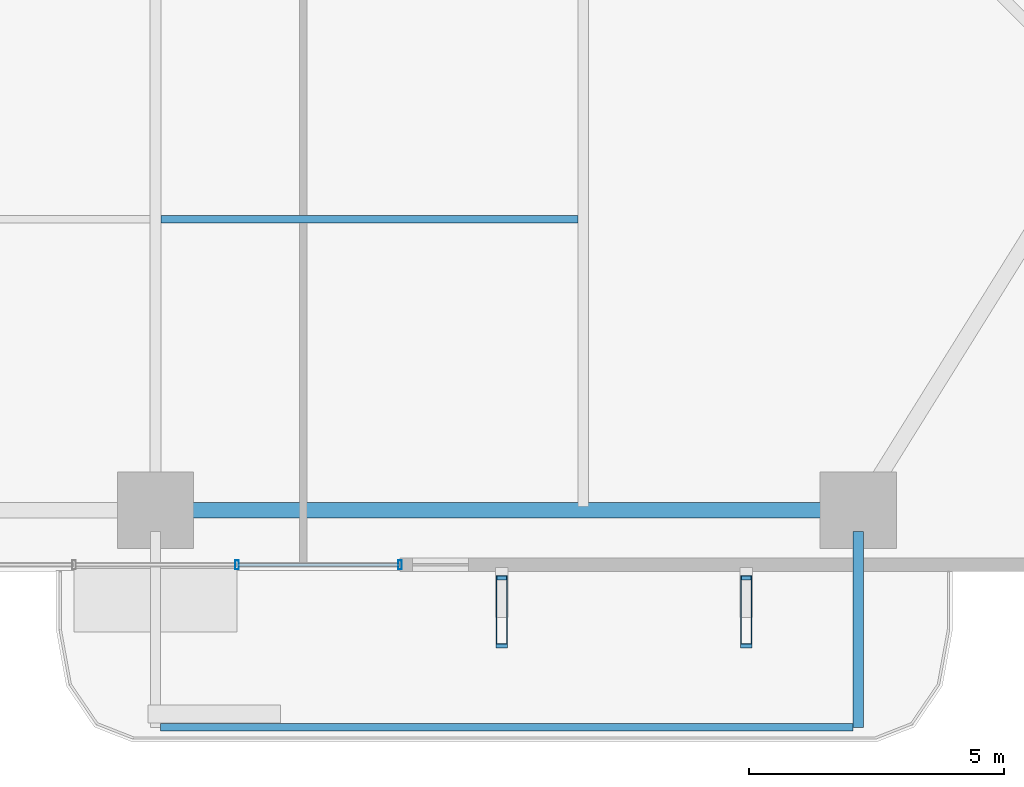
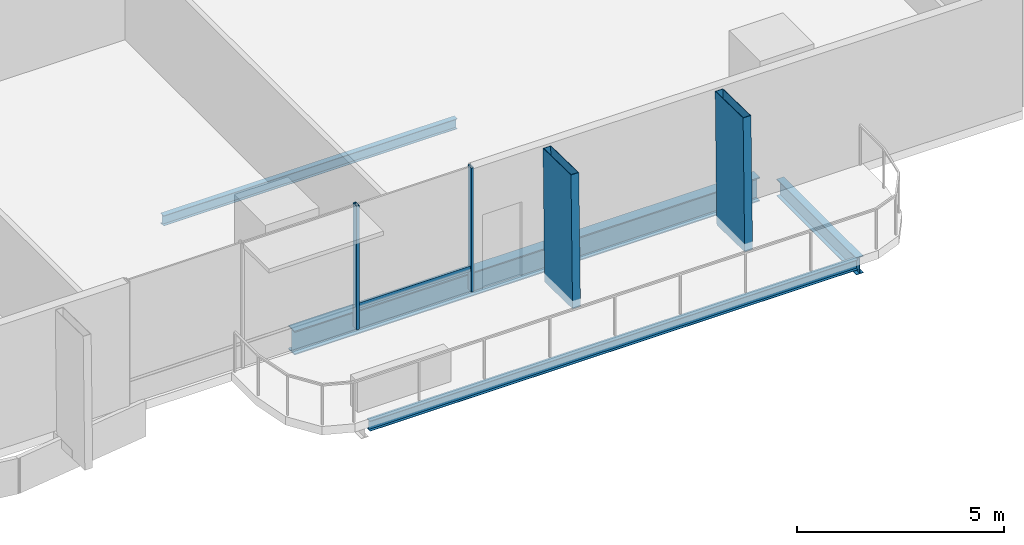
# One storey, part 6 of 24: 5 members, 4 beams, 1 element without a shape of its own.
"""IFC4 building model written with IfcOpenShell, lengths in metres."""

from ifc_helpers import new_model, si_unit, direction, frame, origin, origin_2d, place, context, subcontext, project, spatial, hollow_rectangle, i_section, extrude, material, layer, layer_set, material_profile, profile_set, type_object, element, aggregate, save


model = new_model("IFC4")

# Units and contexts
model_context = context("Model", 3, precision=1e-05, world=origin(), true_north=direction((0.0, 1.0)))
body_context = subcontext(model_context, "Body", "Model", "MODEL_VIEW")
ifc_project = project(units=[si_unit("LENGTHUNIT", "METRE"), si_unit("AREAUNIT", "SQUARE_METRE"), si_unit("VOLUMEUNIT", "CUBIC_METRE"), si_unit("PLANEANGLEUNIT", "RADIAN"), si_unit("MASSUNIT", "GRAM", prefix="KILO")], contexts=[model_context])

# Site, building, storey
site_placement = place(None, origin())
site = spatial("IfcSite", under=ifc_project, at=site_placement, CompositionType="ELEMENT")
building_placement = place(site_placement, origin())
building = spatial("IfcBuilding", under=site, at=building_placement, Name="Belovzor Exchange Tower", CompositionType="ELEMENT")
storey_placement = place(building_placement, frame((0.0, 0.0, 80.699951171875)))
storey = spatial("IfcBuildingStorey", under=building, at=storey_placement, Name="L19", CompositionType="ELEMENT", Elevation=80.699951171875)

# Members
ifc_material_1 = material(Name="Extruded Architectural Terracotta on Steel S355 Carrier", Category="masonry")
ifc_material_profile_1 = material_profile(ifc_material_1, hollow_rectangle(XDim=0.219970703125, YDim=1.35009765625, WallThickness=0.013916015625, at=origin_2d()))
ifc_profile_set_1 = profile_set([ifc_material_profile_1], Name="Extruded Architectural Terracotta on Steel S355 Carrier")
member_type_1 = type_object("IfcMemberType", Name="Base Arc Sweeping Terracotta Pylon Fin 1450", PredefinedType="USERDEFINED", material=ifc_profile_set_1)
for number, where, z_axis, x_axis, name in (
    (1, (35.60009765625, 0.072021484375, -0.25), (0.0, 0.019964721036, 0.999800685094), (-1.0, 0.0, 0.0), "FIN-TC145 Terracotta Facade Fin L19 S3"),
    (2, (40.39990234375, 0.072021484375, -0.25), (0.0, 0.019964721036, 0.999800685094), (-1.0, 0.0, 0.0), "FIN-TC145 Terracotta Facade Fin L19 S4"),
):
    element("IfcMember", number, at=place(storey_placement, frame(where, z_axis=z_axis, x_axis=x_axis)), inside=storey, type_object=member_type_1, Name=name, ObjectType="FIN", PredefinedType="USERDEFINED", context=body_context, shape_type="SweptSolid", body=[
        extrude(hollow_rectangle(XDim=0.219970703125, YDim=1.35009765625, WallThickness=0.013916015625, at=origin_2d()), origin(), (0.0, 0.0, 1.0), 3.90087890625),
    ])

# Beams
ifc_material_2 = material(Name="Steel S355", Category="steel")
ifc_material_profile_2 = material_profile(ifc_material_2, i_section(OverallWidth=0.199951171875, OverallDepth=0.5, WebThickness=0.01025390625, FlangeThickness=0.01611328125, at=origin_2d()))
ifc_profile_set_2 = profile_set([ifc_material_profile_2], Name="Steel S355")
beam_type_1 = type_object("IfcBeamType", Name="Planted Balcony Cantilever Beam IPE 500", PredefinedType="BEAM", material=ifc_profile_set_2)
beam_1_placement = place(storey_placement, frame((42.60009765625, 1.68798828125, -0.5), z_axis=(0.0, -1.0, 0.0), x_axis=(1.0, 0.0, 0.0)))
element("IfcBeam", 3, at=beam_1_placement, inside=storey, type_object=beam_type_1, Name="BC-500 Planted Balcony Cantilever Beam IPE 500", PredefinedType="BEAM", context=body_context, shape_type="SweptSolid", body=[
    extrude(i_section(OverallWidth=0.199951171875, OverallDepth=0.5, WebThickness=0.01025390625, FlangeThickness=0.01611328125, at=origin_2d()), origin(), (0.0, 0.0, 1.0), 3.85009765625),
])
ifc_material_3 = material(Name="Steel S355", Category="steel")
ifc_material_profile_3 = material_profile(ifc_material_3, i_section(OverallWidth=0.14990234375, OverallDepth=0.300048828125, WebThickness=0.007080078125, FlangeThickness=0.0107421875, at=origin_2d()))
ifc_profile_set_3 = profile_set([ifc_material_profile_3], Name="Steel S355")
beam_type_2 = type_object("IfcBeamType", Name="Planted Balcony Fascia Edge Beam IPE 300", PredefinedType="BEAM", material=ifc_profile_set_3)
beam_2_placement = place(storey_placement, frame((28.89990234375, -2.162109375, -0.39990234375), z_axis=(1.0, 0.0, 0.0), x_axis=(0.0, 1.0, 0.0)))
element("IfcBeam", 4, at=beam_2_placement, inside=storey, type_object=beam_type_2, Name="BC-300 Planted Balcony Fascia Edge Beam IPE 300", PredefinedType="BEAM", context=body_context, shape_type="SweptSolid", body=[
    extrude(i_section(OverallWidth=0.14990234375, OverallDepth=0.300048828125, WebThickness=0.007080078125, FlangeThickness=0.0107421875, at=origin_2d()), origin(), (0.0, 0.0, 1.0), 13.60009765625),
])
ifc_material_4 = material(Name="Steel S355", Category="steel")
ifc_material_profile_4 = material_profile(ifc_material_4, i_section(OverallWidth=0.14990234375, OverallDepth=0.300048828125, WebThickness=0.007080078125, FlangeThickness=0.0107421875, at=origin_2d()))
ifc_profile_set_4 = profile_set([ifc_material_profile_4], Name="Steel S355")
beam_type_3 = type_object("IfcBeamType", Name="Secondary Trim Floor Joist IPE 300", PredefinedType="BEAM", material=ifc_profile_set_4)
beam_3_placement = place(storey_placement, frame((28.905029296875, 7.81494140625, -0.39990234375), z_axis=(1.0, 0.0, 0.0), x_axis=(0.0, 1.0, 0.0)))
element("IfcBeam", 5, at=beam_3_placement, inside=storey, type_object=beam_type_3, Name="FJ-300 Secondary Trim Floor Joist IPE 300", PredefinedType="BEAM", context=body_context, shape_type="SweptSolid", body=[
    extrude(i_section(OverallWidth=0.14990234375, OverallDepth=0.300048828125, WebThickness=0.007080078125, FlangeThickness=0.0107421875, at=origin_2d()), origin(), (0.0, 0.0, 1.0), 8.18994140625),
])

# Curtain wall, members
ifc_material_5 = material(Name="Anodised Aluminium Framing", Category="aluminium")
ifc_layer = layer(ifc_material_5, 0.179931640625)
ifc_layer_set = layer_set([ifc_layer], Name="Anodised Aluminium Framing")
curtain_wall_type = type_object("IfcCurtainWallType", Name="Recessed Loggia Low-Iron Triple-Glazed Curtain Wall", PredefinedType="NOTDEFINED", material=ifc_layer_set)
curtain_wall_placement = place(storey_placement, origin())
curtain_wall = element("IfcCurtainWall", 6, at=curtain_wall_placement, inside=storey, type_object=curtain_wall_type, Name="CW3 Recessed Loggia Low-Iron Triple-Glazed Curtain Wall L19", PredefinedType="NOTDEFINED")
ifc_material_6 = material(Name="Steel S355", Category="steel")
ifc_material_profile_5 = material_profile(ifc_material_6, hollow_rectangle(XDim=0.074951171875, YDim=0.179931640625, WallThickness=0.0048828125, at=origin_2d()))
ifc_profile_set_5 = profile_set([ifc_material_profile_5], Name="Steel S355")
member_type_2 = type_object("IfcMemberType", Name="Thermally Broken Curtain Wall Mullion 180x75", PredefinedType="MULLION", material=ifc_profile_set_5)
member_1_placement = place(storey_placement, frame((33.60009765625, 1.030029296875, 0.0), z_axis=(0.0, 0.0, 1.0), x_axis=(-1.0, 0.0, 0.0)))
member_1 = element("IfcMember", 7, at=member_1_placement, type_object=member_type_2, Name="CW-M180 Curtain Wall Mullion 1", PredefinedType="MULLION", context=body_context, shape_type="SweptSolid", body=[
    extrude(hollow_rectangle(XDim=0.074951171875, YDim=0.179931640625, WallThickness=0.0048828125, at=origin_2d()), origin(), (0.0, 0.0, 1.0), 3.650146484375),
])
member_2_placement = place(storey_placement, frame((30.39990234375, 1.030029296875, 0.0), z_axis=(0.0, 0.0, 1.0), x_axis=(-1.0, 0.0, 0.0)))
member_2 = element("IfcMember", 8, at=member_2_placement, type_object=member_type_2, Name="CW-M180 Curtain Wall Mullion 2", PredefinedType="MULLION", context=body_context, shape_type="SweptSolid", body=[
    extrude(hollow_rectangle(XDim=0.074951171875, YDim=0.179931640625, WallThickness=0.0048828125, at=origin_2d()), origin(), (0.0, 0.0, 1.0), 3.650146484375),
])
ifc_material_7 = material(Name="Steel S355", Category="steel")
ifc_material_profile_6 = material_profile(ifc_material_7, hollow_rectangle(XDim=0.06005859375, YDim=0.14990234375, WallThickness=0.00390625, at=origin_2d()))
ifc_profile_set_6 = profile_set([ifc_material_profile_6], Name="Steel S355")
member_type_3 = type_object("IfcMemberType", Name="Thermally Broken Curtain Wall Transom 150x60", PredefinedType="USERDEFINED", material=ifc_profile_set_6)
member_3_placement = place(storey_placement, frame((33.592041015625, 1.030029296875, 0.650146484375), z_axis=(-1.0, 0.0, 0.0), x_axis=(0.0, -1.0, 0.0)))
member_3 = element("IfcMember", 9, at=member_3_placement, type_object=member_type_3, Name="CW-T150 Curtain Wall Transom 1", ObjectType="TRANSOM", PredefinedType="USERDEFINED", context=body_context, shape_type="SweptSolid", body=[
    extrude(hollow_rectangle(XDim=0.06005859375, YDim=0.14990234375, WallThickness=0.00390625, at=origin_2d()), origin(), (0.0, 0.0, 1.0), 3.18408203125),
])
aggregate(curtain_wall, [member_1, member_2, member_3])

# Beam
ifc_material_8 = material(Name="Steel S355", Category="steel")
ifc_material_profile_7 = material_profile(ifc_material_8, i_section(OverallWidth=0.300048828125, OverallDepth=0.699951171875, WebThickness=0.01708984375, FlangeThickness=0.031982421875, at=origin_2d()))
ifc_profile_set_7 = profile_set([ifc_material_profile_7], Name="Steel S355")
beam_type_4 = type_object("IfcBeamType", Name="Zone 1 Primary Perimeter Girder HEB 700", PredefinedType="BEAM", material=ifc_profile_set_7)
beam_4_placement = place(storey_placement, frame((29.212890625, 2.10009765625, -0.599853515625), z_axis=(1.0, 0.0, 0.0), x_axis=(0.0, 1.0, 0.0)))
element("IfcBeam", 10, at=beam_4_placement, inside=storey, type_object=beam_type_4, Name="FG-Z1 Zone 1 Primary Perimeter Girder HEB 700", PredefinedType="BEAM", context=body_context, shape_type="SweptSolid", body=[
    extrude(i_section(OverallWidth=0.300048828125, OverallDepth=0.699951171875, WebThickness=0.01708984375, FlangeThickness=0.031982421875, at=origin_2d()), origin(), (0.0, 0.0, 1.0), 12.97509765625),
])

save(model, "model.ifc")
